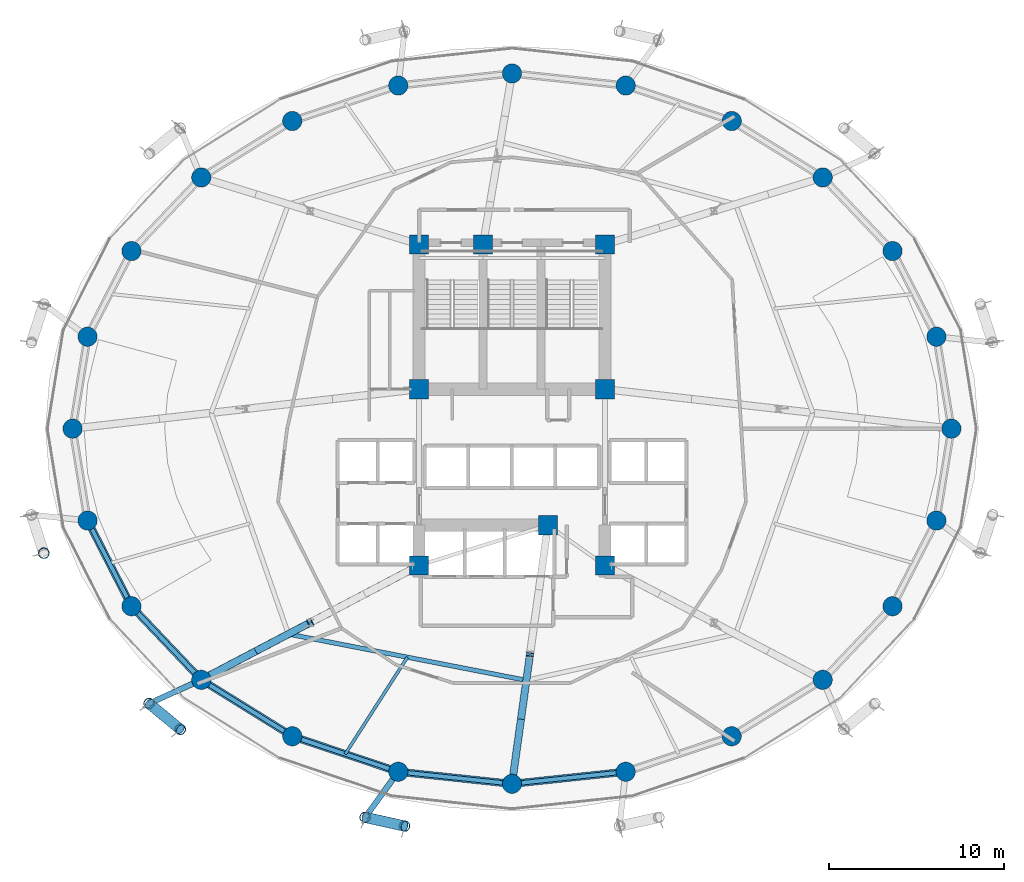
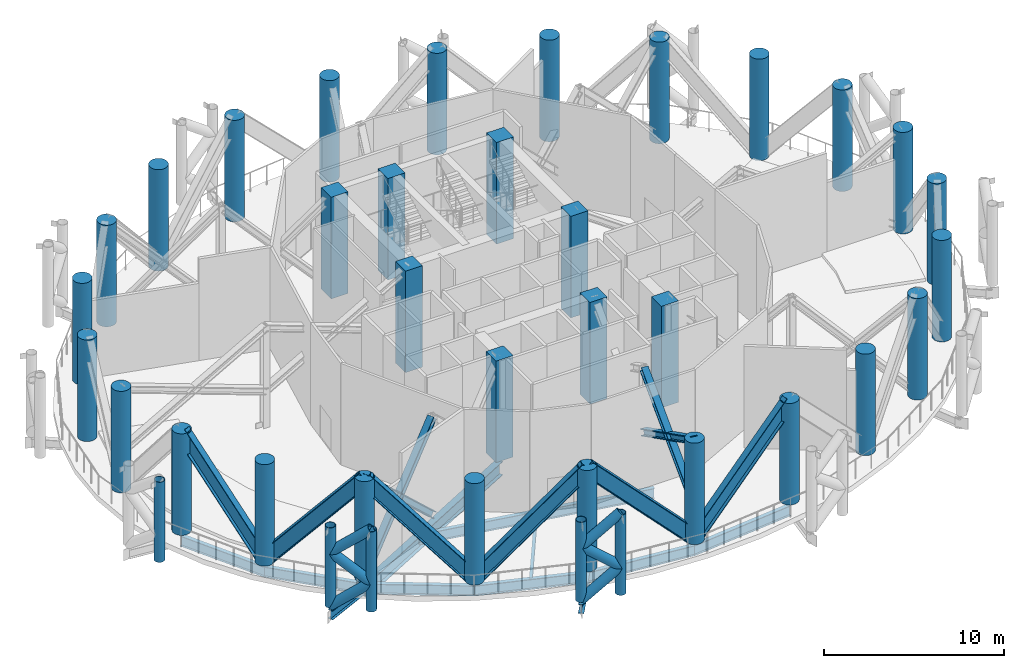
# One storey, part 1 of 19: 32 columns, 21 members, 11 beams.
"""IFC4 building model written with IfcOpenShell, lengths in metres."""

from ifc_helpers import new_model, si_unit, direction, frame, origin, origin_2d, place, context, subcontext, project, spatial, rectangle, circle, hollow_circle, i_section, extrude, material, material_profile, profile_set, type_object, element, save


model = new_model("IFC4")

# Units and contexts
model_context = context("Model", 3, precision=1e-05, world=origin(), true_north=direction((0.0, 1.0)))
body_context = subcontext(model_context, "Body", "Model", "MODEL_VIEW")
ifc_project = project(units=[si_unit("LENGTHUNIT", "METRE"), si_unit("AREAUNIT", "SQUARE_METRE"), si_unit("VOLUMEUNIT", "CUBIC_METRE"), si_unit("PLANEANGLEUNIT", "RADIAN"), si_unit("MASSUNIT", "GRAM", prefix="KILO")], contexts=[model_context])

# Site, building, storey
site_placement = place(None, origin())
site = spatial("IfcSite", under=ifc_project, at=site_placement, CompositionType="ELEMENT")
building_placement = place(site_placement, origin())
building = spatial("IfcBuilding", under=site, at=building_placement, Name="Nuhasar Tower", CompositionType="ELEMENT")
storey_placement = place(building_placement, frame((0.0, 0.0, 106.050048828125)))
storey = spatial("IfcBuildingStorey", under=building, at=storey_placement, Name="L25", CompositionType="ELEMENT", Elevation=106.050048828125)

# Columns
ifc_material_1 = material(Name="Concrete C80/95", Category="concrete")
ifc_material_profile_1 = material_profile(ifc_material_1, circle(Radius=0.550048828125, at=origin_2d()), Name="CFT1100")
ifc_profile_set_1 = profile_set([ifc_material_profile_1], Name="Concrete C80/95")
column_type_1 = type_object("IfcColumnType", Name="COL-CFT-1100", PredefinedType="COLUMN", material=ifc_profile_set_1)
for number, where, z_axis, x_axis, name in (
    (1, (64.050048828125, 26.800048828125, 0.0), (0.0, 0.0, 1.0), (1.0, 0.0, 0.0), "L25 Perimeter Composite Column TC-01"),
    (2, (63.196044921875, 32.041015625, 0.0), (0.0, 0.0, 1.0), (1.0, 0.0, 0.0), "L25 Perimeter Composite Column TC-02"),
    (3, (60.694091796875, 36.925048828125, 0.0), (0.0, 0.0, 1.0), (1.0, 0.0, 0.0), "L25 Perimeter Composite Column TC-03"),
    (4, (56.712890625, 41.118896484375, 0.0), (0.0, 0.0, 1.0), (1.0, 0.0, 0.0), "L25 Perimeter Composite Column TC-04"),
    (5, (51.52490234375, 44.3369140625, 0.0), (0.0, 0.0, 1.0), (1.0, 0.0, 0.0), "L25 Perimeter Composite Column TC-05"),
    (6, (45.48291015625, 46.360107421875, 0.0), (0.0, 0.0, 1.0), (1.0, 0.0, 0.0), "L25 Perimeter Composite Column TC-06"),
    (7, (39.0, 47.050048828125, 0.0), (0.0, 0.0, 1.0), (1.0, 0.0, 0.0), "L25 Perimeter Composite Column TC-07"),
    (8, (32.51708984375, 46.360107421875, 0.0), (0.0, 0.0, 1.0), (1.0, 0.0, 0.0), "L25 Perimeter Composite Column TC-08"),
    (9, (26.47509765625, 44.3369140625, 0.0), (0.0, 0.0, 1.0), (1.0, 0.0, 0.0), "L25 Perimeter Composite Column TC-09"),
    (10, (21.287109375, 41.118896484375, 0.0), (0.0, 0.0, 1.0), (1.0, 0.0, 0.0), "L25 Perimeter Composite Column TC-10"),
    (11, (17.305908203125, 36.925048828125, 0.0), (0.0, 0.0, 1.0), (1.0, 0.0, 0.0), "L25 Perimeter Composite Column TC-11"),
    (12, (14.803955078125, 32.041015625, 0.0), (0.0, 0.0, 1.0), (1.0, 0.0, 0.0), "L25 Perimeter Composite Column TC-12"),
    (13, (13.949951171875, 26.800048828125, 0.0), (0.0, 0.0, 1.0), (1.0, 0.0, 0.0), "L25 Perimeter Composite Column TC-13"),
    (14, (14.803955078125, 21.55908203125, 0.0), (0.0, 0.0, 1.0), (1.0, 0.0, 0.0), "L25 Perimeter Composite Column TC-14"),
    (15, (17.305908203125, 16.675048828125, 0.0), (0.0, 0.0, 1.0), (1.0, 0.0, 0.0), "L25 Perimeter Composite Column TC-15"),
    (16, (21.287109375, 12.48095703125, 0.0), (0.0, 0.0, 1.0), (1.0, 0.0, 0.0), "L25 Perimeter Composite Column TC-16"),
    (17, (26.47509765625, 9.262939453125, 0.0), (0.0, 0.0, 1.0), (1.0, 0.0, 0.0), "L25 Perimeter Composite Column TC-17"),
    (18, (32.51708984375, 7.239990234375, 0.0), (0.0, 0.0, 1.0), (1.0, 0.0, 0.0), "L25 Perimeter Composite Column TC-18"),
    (19, (39.0, 6.550048828125, 0.0), (0.0, 0.0, 1.0), (1.0, 0.0, 0.0), "L25 Perimeter Composite Column TC-19"),
    (20, (45.48291015625, 7.239990234375, 0.0), (0.0, 0.0, 1.0), (1.0, 0.0, 0.0), "L25 Perimeter Composite Column TC-20"),
    (21, (51.52490234375, 9.262939453125, 0.0), (0.0, 0.0, 1.0), (1.0, 0.0, 0.0), "L25 Perimeter Composite Column TC-21"),
    (22, (56.712890625, 12.48095703125, 0.0), (0.0, 0.0, 1.0), (1.0, 0.0, 0.0), "L25 Perimeter Composite Column TC-22"),
    (23, (60.694091796875, 16.675048828125, 0.0), (0.0, 0.0, 1.0), (1.0, 0.0, 0.0), "L25 Perimeter Composite Column TC-23"),
    (24, (63.196044921875, 21.55908203125, 0.0), (0.0, 0.0, 1.0), (1.0, 0.0, 0.0), "L25 Perimeter Composite Column TC-24"),
):
    element("IfcColumn", number, at=place(storey_placement, frame(where, z_axis=z_axis, x_axis=x_axis)), inside=storey, type_object=column_type_1, Name=name, PredefinedType="COLUMN", context=body_context, shape_type="SweptSolid", body=[
        extrude(circle(Radius=0.550048828125, at=origin_2d()), origin(), (0.0, 0.0, 1.0), 6.8798828125),
    ])
ifc_material_profile_2 = material_profile(ifc_material_1, rectangle(XDim=1.10009765625, YDim=1.10009765625, at=origin_2d()), Name="RC1100X1100")
ifc_profile_set_2 = profile_set([ifc_material_profile_2], Name="Concrete C80/95")
column_type_2 = type_object("IfcColumnType", Name="PIL-RC-1100", PredefinedType="PILASTER", material=ifc_profile_set_2)
for number, where, z_axis, x_axis, name in (
    (25, (33.699951171875, 19.0, 0.0), (0.0, 0.0, 1.0), (1.0, 0.0, 0.0), "L25 Core Boundary Pilaster CC-01"),
    (26, (41.050048828125, 21.300048828125, 0.0), (0.0, 0.0, 1.0), (1.0, 0.0, 0.0), "L25 Core Boundary Pilaster CC-02"),
    (27, (44.300048828125, 19.0, 0.0), (0.0, 0.0, 1.0), (1.0, 0.0, 0.0), "L25 Core Boundary Pilaster CC-03"),
    (28, (44.300048828125, 29.050048828125, 0.0), (0.0, 0.0, 1.0), (1.0, 0.0, 0.0), "L25 Core Boundary Pilaster CC-04"),
    (29, (44.300048828125, 37.300048828125, 0.0), (0.0, 0.0, 1.0), (1.0, 0.0, 0.0), "L25 Core Boundary Pilaster CC-05"),
    (30, (37.35009765625, 37.300048828125, 0.0), (0.0, 0.0, 1.0), (1.0, 0.0, 0.0), "L25 Core Boundary Pilaster CC-06"),
    (31, (33.699951171875, 37.300048828125, 0.0), (0.0, 0.0, 1.0), (1.0, 0.0, 0.0), "L25 Core Boundary Pilaster CC-07"),
    (32, (33.699951171875, 29.050048828125, 0.0), (0.0, 0.0, 1.0), (1.0, 0.0, 0.0), "L25 Core Boundary Pilaster CC-08"),
):
    element("IfcColumn", number, at=place(storey_placement, frame(where, z_axis=z_axis, x_axis=x_axis)), inside=storey, type_object=column_type_2, Name=name, PredefinedType="PILASTER", context=body_context, shape_type="SweptSolid", body=[
        extrude(rectangle(XDim=1.10009765625, YDim=1.10009765625, at=origin_2d()), origin(), (0.0, 0.0, 1.0), 6.8798828125),
    ])

# Members
ifc_material_2 = material(Name="Steel S460", Category="steel")
ifc_material_profile_3 = material_profile(ifc_material_2, i_section(OverallWidth=0.419921875, OverallDepth=0.931884765625, WebThickness=0.021240234375, FlangeThickness=0.03662109375, at=origin_2d()), Name="W36X262")
ifc_profile_set_3 = profile_set([ifc_material_profile_3], Name="Steel S460")
member_type_1 = type_object("IfcMemberType", Name="BLT-DIAG-W36A", PredefinedType="CHORD", material=ifc_profile_set_3)
member_1_placement = place(storey_placement, frame((17.305908203125, 16.675048828125, 0.14990234375), z_axis=(-0.292010631919, 0.570030512444, 0.767981123289), x_axis=(-0.890015625314, -0.455930023905, 0.0)))
element("IfcMember", 33, at=member_1_placement, inside=storey, type_object=member_type_1, Name="L25 Belt Truss Diagonal 14", PredefinedType="CHORD", context=body_context, shape_type="SweptSolid", body=[
    extrude(i_section(OverallWidth=0.419921875, OverallDepth=0.931884765625, WebThickness=0.021240234375, FlangeThickness=0.03662109375, at=origin_2d()), origin(), (0.0, 0.0, 1.0), 8.568115234375),
])
member_2_placement = place(storey_placement, frame((17.305908203125, 16.675048828125, 0.14990234375), z_axis=(0.454474436548, -0.478776988131, 0.751149507196), x_axis=(0.725274490569, 0.688459812429, 0.0)))
element("IfcMember", 34, at=member_2_placement, inside=storey, type_object=member_type_1, Name="L25 Belt Truss Diagonal 15", PredefinedType="CHORD", context=body_context, shape_type="SweptSolid", body=[
    extrude(i_section(OverallWidth=0.419921875, OverallDepth=0.931884765625, WebThickness=0.021240234375, FlangeThickness=0.03662109375, at=origin_2d()), origin(), (0.0, 0.0, 1.0), 8.760009765625),
])
member_3_placement = place(storey_placement, frame((26.47509765625, 9.262939453125, 0.14990234375), z_axis=(-0.5779854684, 0.358514186305, 0.733075969144), x_axis=(-0.527112976439, -0.849795216549, 0.0)))
element("IfcMember", 35, at=member_3_placement, inside=storey, type_object=member_type_1, Name="L25 Belt Truss Diagonal 16", PredefinedType="CHORD", context=body_context, shape_type="SweptSolid", body=[
    extrude(i_section(OverallWidth=0.419921875, OverallDepth=0.931884765625, WebThickness=0.021240234375, FlangeThickness=0.03662109375, at=origin_2d()), origin(), (0.0, 0.0, 1.0), 8.97607421875),
])
member_4_placement = place(storey_placement, frame((26.47509765625, 9.262939453125, 0.14990234375), z_axis=(0.659646146628, -0.220859381403, 0.718392716337), x_axis=(0.317491935271, 0.94826097201, 0.0)))
element("IfcMember", 36, at=member_4_placement, inside=storey, type_object=member_type_1, Name="L25 Belt Truss Diagonal 17", PredefinedType="CHORD", context=body_context, shape_type="SweptSolid", body=[
    extrude(i_section(OverallWidth=0.419921875, OverallDepth=0.931884765625, WebThickness=0.021240234375, FlangeThickness=0.03662109375, at=origin_2d()), origin(), (0.0, 0.0, 1.0), 9.159423828125),
])
for number, where, z_axis, x_axis, name in (
    (37, (39.0, 6.550048828125, 0.14990234375), (-0.699878064566, 0.07448427395, 0.710368064931), (-0.105827022286, -0.994384554061, 0.0), "L25 Belt Truss Diagonal 18"),
    (38, (39.0, 6.550048828125, 0.14990234375), (0.699878064566, 0.07448427395, 0.710368064931), (-0.105827022286, 0.994384554061, 0.0), "L25 Belt Truss Diagonal 19"),
):
    element("IfcMember", number, at=place(storey_placement, frame(where, z_axis=z_axis, x_axis=x_axis)), inside=storey, type_object=member_type_1, Name=name, PredefinedType="CHORD", context=body_context, shape_type="SweptSolid", body=[
        extrude(i_section(OverallWidth=0.419921875, OverallDepth=0.931884765625, WebThickness=0.021240234375, FlangeThickness=0.03662109375, at=origin_2d()), origin(), (0.0, 0.0, 1.0), 9.262939453125),
    ])

# Beams
ifc_material_3 = material(Name="Steel S355", Category="steel")
ifc_material_profile_4 = material_profile(ifc_material_3, i_section(OverallWidth=0.25390625, OverallDepth=0.68408203125, WebThickness=0.012451171875, FlangeThickness=0.018798828125, at=origin_2d()), Name="W27X94")
ifc_profile_set_4 = profile_set([ifc_material_profile_4], Name="Steel S355")
beam_type_1 = type_object("IfcBeamType", Name="BM-INRING-W27X94", PredefinedType="BEAM", material=ifc_profile_set_4)
beam_1_placement = place(storey_placement, frame((26.251953125, 15.089111328125, -0.692138671875), z_axis=(0.981602977761, -0.190933480695, 0.0), x_axis=(0.190933480695, 0.981602977761, 0.0)))
element("IfcBeam", 39, at=beam_1_placement, inside=storey, type_object=beam_type_1, Name="L25 Inner Header Beam 01", PredefinedType="BEAM", context=body_context, shape_type="SweptSolid", body=[
    extrude(i_section(OverallWidth=0.25390625, OverallDepth=0.68408203125, WebThickness=0.012451171875, FlangeThickness=0.018798828125, at=origin_2d()), origin(), (0.0, 0.0, 1.0), 13.822509765625),
])
ifc_material_profile_5 = material_profile(ifc_material_3, i_section(OverallWidth=0.177978515625, OverallDepth=0.406005859375, WebThickness=0.0078125, FlangeThickness=0.0126953125, at=origin_2d()), Name="W16X40")
ifc_profile_set_5 = profile_set([ifc_material_profile_5], Name="Steel S355")
beam_type_2 = type_object("IfcBeamType", Name="BM-JST-W16X40", PredefinedType="JOIST", material=ifc_profile_set_5)
beam_2_placement = place(storey_placement, frame((33.035888671875, 13.77001953125, -0.552978515625), z_axis=(-0.539944240715, -0.841700788237, 0.0), x_axis=(0.841700788237, -0.539944240715, 0.0)))
element("IfcBeam", 40, at=beam_2_placement, inside=storey, type_object=beam_type_2, Name="L25 Secondary Floor Joist 01", PredefinedType="JOIST", context=body_context, shape_type="SweptSolid", body=[
    extrude(i_section(OverallWidth=0.177978515625, OverallDepth=0.406005859375, WebThickness=0.0078125, FlangeThickness=0.0126953125, at=origin_2d()), origin(), (0.0, 0.0, 1.0), 6.555908203125),
])
ifc_material_profile_6 = material_profile(ifc_material_3, i_section(OverallWidth=0.419921875, OverallDepth=0.931884765625, WebThickness=0.021240234375, FlangeThickness=0.03662109375, at=origin_2d()), Name="W36X262")
ifc_profile_set_6 = profile_set([ifc_material_profile_6], Name="Steel S355")
beam_type_3 = type_object("IfcBeamType", Name="BM-POD-W36X262", PredefinedType="BEAM", material=ifc_profile_set_6)
beam_3_placement = place(storey_placement, frame((33.699951171875, 19.0, -0.816162109375), z_axis=(-0.885330348705, -0.464962550816, 0.0), x_axis=(0.464962550816, -0.885330348705, 0.0)))
element("IfcBeam", 41, at=beam_3_placement, inside=storey, type_object=beam_type_3, Name="L25 Radial Floor Girder 01", PredefinedType="BEAM", context=body_context, shape_type="SweptSolid", body=[
    extrude(i_section(OverallWidth=0.419921875, OverallDepth=0.931884765625, WebThickness=0.021240234375, FlangeThickness=0.03662109375, at=origin_2d()), origin(), (0.0, 0.0, 1.0), 14.0205078125),
])
ifc_material_profile_7 = material_profile(ifc_material_3, i_section(OverallWidth=0.256103515625, OverallDepth=0.693115234375, WebThickness=0.014404296875, FlangeThickness=0.023681640625, at=origin_2d()), Name="W27X114")
ifc_profile_set_7 = profile_set([ifc_material_profile_7], Name="Steel S355")
beam_type_4 = type_object("IfcBeamType", Name="BM-RING-W27X114", PredefinedType="SPANDREL", material=ifc_profile_set_7)
beam_4_placement = place(storey_placement, frame((14.803955078125, 21.55908203125, -0.697021484375), z_axis=(0.455930023905, -0.890015625314, 0.0), x_axis=(0.890015625314, 0.455930023905, 0.0)))
element("IfcBeam", 42, at=beam_4_placement, inside=storey, type_object=beam_type_4, Name="L25 Perimeter Ring Spandrel 14", PredefinedType="SPANDREL", context=body_context, shape_type="SweptSolid", body=[
    extrude(i_section(OverallWidth=0.256103515625, OverallDepth=0.693115234375, WebThickness=0.014404296875, FlangeThickness=0.023681640625, at=origin_2d()), origin(), (0.0, 0.0, 1.0), 5.487548828125),
])
beam_5_placement = place(storey_placement, frame((17.305908203125, 16.675048828125, -0.697021484375), z_axis=(0.688459812429, -0.725274490569, 0.0), x_axis=(0.725274490569, 0.688459812429, 0.0)))
element("IfcBeam", 43, at=beam_5_placement, inside=storey, type_object=beam_type_4, Name="L25 Perimeter Ring Spandrel 15", PredefinedType="SPANDREL", context=body_context, shape_type="SweptSolid", body=[
    extrude(i_section(OverallWidth=0.256103515625, OverallDepth=0.693115234375, WebThickness=0.014404296875, FlangeThickness=0.023681640625, at=origin_2d()), origin(), (0.0, 0.0, 1.0), 5.78271484375),
])
beam_6_placement = place(storey_placement, frame((21.287109375, 12.48095703125, -0.697021484375), z_axis=(0.849795216549, -0.527112976439, 0.0), x_axis=(0.527112976439, 0.849795216549, 0.0)))
element("IfcBeam", 44, at=beam_6_placement, inside=storey, type_object=beam_type_4, Name="L25 Perimeter Ring Spandrel 16", PredefinedType="SPANDREL", context=body_context, shape_type="SweptSolid", body=[
    extrude(i_section(OverallWidth=0.256103515625, OverallDepth=0.693115234375, WebThickness=0.014404296875, FlangeThickness=0.023681640625, at=origin_2d()), origin(), (0.0, 0.0, 1.0), 6.10498046875),
])
beam_7_placement = place(storey_placement, frame((26.47509765625, 9.262939453125, -0.697021484375), z_axis=(0.94826097201, -0.317491935271, 0.0), x_axis=(0.317491935271, 0.94826097201, 0.0)))
element("IfcBeam", 45, at=beam_7_placement, inside=storey, type_object=beam_type_4, Name="L25 Perimeter Ring Spandrel 17", PredefinedType="SPANDREL", context=body_context, shape_type="SweptSolid", body=[
    extrude(i_section(OverallWidth=0.256103515625, OverallDepth=0.693115234375, WebThickness=0.014404296875, FlangeThickness=0.023681640625, at=origin_2d()), origin(), (0.0, 0.0, 1.0), 6.37158203125),
])
for number, where, z_axis, x_axis, name in (
    (46, (32.51708984375, 7.239990234375, -0.697021484375), (0.994384554061, -0.105827022286, 0.0), (0.105827022286, 0.994384554061, 0.0), "L25 Perimeter Ring Spandrel 18"),
    (47, (39.0, 6.550048828125, -0.697021484375), (0.994384554061, 0.105827022286, 0.0), (-0.105827022286, 0.994384554061, 0.0), "L25 Perimeter Ring Spandrel 19"),
):
    element("IfcBeam", number, at=place(storey_placement, frame(where, z_axis=z_axis, x_axis=x_axis)), inside=storey, type_object=beam_type_4, Name=name, PredefinedType="SPANDREL", context=body_context, shape_type="SweptSolid", body=[
        extrude(i_section(OverallWidth=0.256103515625, OverallDepth=0.693115234375, WebThickness=0.014404296875, FlangeThickness=0.023681640625, at=origin_2d()), origin(), (0.0, 0.0, 1.0), 6.51953125),
    ])
ifc_material_profile_8 = material_profile(ifc_material_3, i_section(OverallWidth=0.323974609375, OverallDepth=0.611083984375, WebThickness=0.0126953125, FlangeThickness=0.01904296875, at=origin_2d()), Name="W24X104")
ifc_profile_set_8 = profile_set([ifc_material_profile_8], Name="Steel S355")
beam_type_5 = type_object("IfcBeamType", Name="BM-TIE-W24X104", PredefinedType="BEAM", material=ifc_profile_set_8)
beam_8_placement = place(storey_placement, frame((21.287109375, 12.48095703125, -0.655029296875), z_axis=(-0.910243528587, -0.414073325227, 0.0), x_axis=(0.414073325227, -0.910243528587, 0.0)))
element("IfcBeam", 48, at=beam_8_placement, inside=storey, type_object=beam_type_5, Name="L25 Exoskeleton Node Tie Beam 08", PredefinedType="BEAM", context=body_context, shape_type="SweptSolid", body=[
    extrude(i_section(OverallWidth=0.323974609375, OverallDepth=0.611083984375, WebThickness=0.0126953125, FlangeThickness=0.01904296875, at=origin_2d()), origin(), (0.0, 0.0, 1.0), 3.26513671875),
])
beam_9_placement = place(storey_placement, frame((32.51708984375, 7.239990234375, -0.655029296875), z_axis=(-0.587403316448, -0.809294349311, 0.0), x_axis=(0.809294349311, -0.587403316448, 0.0)))
element("IfcBeam", 49, at=beam_9_placement, inside=storey, type_object=beam_type_5, Name="L25 Exoskeleton Node Tie Beam 09", PredefinedType="BEAM", context=body_context, shape_type="SweptSolid", body=[
    extrude(i_section(OverallWidth=0.323974609375, OverallDepth=0.611083984375, WebThickness=0.0126953125, FlangeThickness=0.01904296875, at=origin_2d()), origin(), (0.0, 0.0, 1.0), 3.212890625),
])

# Members
ifc_material_profile_9 = material_profile(ifc_material_2, hollow_circle(Radius=0.304931640625, WallThickness=0.025390625, at=origin_2d()), Name="HSS610X25.4")
ifc_profile_set_9 = profile_set([ifc_material_profile_9], Name="Steel S460")
member_type_2 = type_object("IfcMemberType", Name="EXO-BRONZE-610", PredefinedType="BRACE", material=ifc_profile_set_9)
for number, where, z_axis, x_axis, name in (
    (50, (12.30810546875, 19.700927734375, 0.0), (0.0, 0.0, 1.0), (1.0, 0.0, 0.0), "L25 Exoskeleton Chord Column EC-07B"),
    (51, (18.31494140625, 11.12890625, 0.0), (0.0, 0.0, 1.0), (1.0, 0.0, 0.0), "L25 Exoskeleton Chord Column EC-08A"),
    (52, (20.0869140625, 9.660888671875, 0.0), (0.0, 0.0, 1.0), (1.0, 0.0, 0.0), "L25 Exoskeleton Chord Column EC-08B"),
    (53, (30.6298828125, 4.639892578125, 0.0), (0.0, 0.0, 1.0), (1.0, 0.0, 0.0), "L25 Exoskeleton Chord Column EC-09A"),
    (54, (32.8759765625, 4.14111328125, 0.0), (0.0, 0.0, 1.0), (1.0, 0.0, 0.0), "L25 Exoskeleton Chord Column EC-09B"),
):
    element("IfcMember", number, at=place(storey_placement, frame(where, z_axis=z_axis, x_axis=x_axis)), inside=storey, type_object=member_type_2, Name=name, PredefinedType="BRACE", context=body_context, shape_type="SweptSolid", body=[
        extrude(hollow_circle(Radius=0.304931640625, WallThickness=0.025390625, at=origin_2d()), origin(), (0.0, 0.0, 1.0), 5.429931640625),
    ])
member_5_placement = place(storey_placement, frame((18.31494140625, 11.12890625, 0.0), z_axis=(0.605249314085, -0.501427958886, 0.618258254977), x_axis=(0.637969333506, 0.770061769929, 0.0)))
element("IfcMember", 55, at=member_5_placement, inside=storey, type_object=member_type_2, Name="L25 Bronze Diagrid Brace W1-08", PredefinedType="BRACE", context=body_context, shape_type="SweptSolid", body=[
    extrude(hollow_circle(Radius=0.304931640625, WallThickness=0.025390625, at=origin_2d()), origin(), (0.0, 0.0, 1.0), 2.927734375),
])
member_6_placement = place(storey_placement, frame((20.0869140625, 9.660888671875, 1.81005859375), z_axis=(-0.605280519206, 0.50145381124, 0.61820673586), x_axis=(-0.637969333506, -0.770061769929, 0.0)))
element("IfcMember", 56, at=member_6_placement, inside=storey, type_object=member_type_2, Name="L25 Bronze Diagrid Brace W2-08", PredefinedType="BRACE", context=body_context, shape_type="SweptSolid", body=[
    extrude(hollow_circle(Radius=0.304931640625, WallThickness=0.025390625, at=origin_2d()), origin(), (0.0, 0.0, 1.0), 2.927490234375),
])
member_7_placement = place(storey_placement, frame((18.31494140625, 11.12890625, 3.619873046875), z_axis=(0.605249314085, -0.501427958886, 0.618258254977), x_axis=(0.637969333506, 0.770061769929, 0.0)))
element("IfcMember", 57, at=member_7_placement, inside=storey, type_object=member_type_2, Name="L25 Bronze Diagrid Brace W3-08", PredefinedType="BRACE", context=body_context, shape_type="SweptSolid", body=[
    extrude(hollow_circle(Radius=0.304931640625, WallThickness=0.025390625, at=origin_2d()), origin(), (0.0, 0.0, 1.0), 2.927734375),
])
member_8_placement = place(storey_placement, frame((30.6298828125, 4.639892578125, 0.0), z_axis=(0.767249664901, -0.17037946363, 0.618303153867), x_axis=(0.216784396973, 0.976219506683, 0.0)))
element("IfcMember", 58, at=member_8_placement, inside=storey, type_object=member_type_2, Name="L25 Bronze Diagrid Brace W1-09", PredefinedType="BRACE", context=body_context, shape_type="SweptSolid", body=[
    extrude(hollow_circle(Radius=0.304931640625, WallThickness=0.025390625, at=origin_2d()), origin(), (0.0, 0.0, 1.0), 2.927490234375),
])
member_9_placement = place(storey_placement, frame((32.8759765625, 4.14111328125, 1.81005859375), z_axis=(-0.767289228096, 0.170388249239, 0.618251635638), x_axis=(-0.216784396973, -0.976219506683, 0.0)))
element("IfcMember", 59, at=member_9_placement, inside=storey, type_object=member_type_2, Name="L25 Bronze Diagrid Brace W2-09", PredefinedType="BRACE", context=body_context, shape_type="SweptSolid", body=[
    extrude(hollow_circle(Radius=0.304931640625, WallThickness=0.025390625, at=origin_2d()), origin(), (0.0, 0.0, 1.0), 2.92724609375),
])
member_10_placement = place(storey_placement, frame((30.6298828125, 4.639892578125, 3.619873046875), z_axis=(0.767249664901, -0.17037946363, 0.618303153867), x_axis=(0.216784396973, 0.976219506683, 0.0)))
element("IfcMember", 60, at=member_10_placement, inside=storey, type_object=member_type_2, Name="L25 Bronze Diagrid Brace W3-09", PredefinedType="BRACE", context=body_context, shape_type="SweptSolid", body=[
    extrude(hollow_circle(Radius=0.304931640625, WallThickness=0.025390625, at=origin_2d()), origin(), (0.0, 0.0, 1.0), 2.927490234375),
])
ifc_material_profile_10 = material_profile(ifc_material_2, i_section(OverallWidth=0.412109375, OverallDepth=0.43408203125, WebThickness=0.035888671875, FlangeThickness=0.057373046875, at=origin_2d()), Name="W14X311")
ifc_profile_set_10 = profile_set([ifc_material_profile_10], Name="Steel S460")
member_type_3 = type_object("IfcMemberType", Name="OUT-DIAG-W14A", PredefinedType="STRUT", material=ifc_profile_set_10)
for number, where, z_axis, x_axis, name in (
    (61, (27.493896484375, 15.740966796875, 0.14990234375), (-0.64552793441, -0.339052610163, 0.68435152768), (0.464995637909, -0.885312971059, 0.0), "L25 Outrigger Truss Diagonal OUT1-01"),
    (62, (21.287109375, 12.48095703125, 0.14990234375), (0.64552793441, 0.339052610163, 0.68435152768), (-0.464995637909, 0.885312971059, 0.0), "L25 Outrigger Truss Diagonal OUT2-01"),
):
    element("IfcMember", number, at=place(storey_placement, frame(where, z_axis=z_axis, x_axis=x_axis)), inside=storey, type_object=member_type_3, Name=name, PredefinedType="STRUT", context=body_context, shape_type="SweptSolid", body=[
        extrude(i_section(OverallWidth=0.412109375, OverallDepth=0.43408203125, WebThickness=0.035888671875, FlangeThickness=0.057373046875, at=origin_2d()), origin(), (0.0, 0.0, 1.0), 9.614990234375),
    ])
for number, where, z_axis, x_axis, name in (
    (63, (40.02490234375, 13.925048828125, 2.449951171875), (-0.119336394854, -0.858721728382, 0.498353105808), (0.99048134876, -0.137647004174, 0.0), "L25 Outrigger Truss Diagonal OUT1-02"),
    (64, (39.0, 6.550048828125, 2.449951171875), (0.119336394854, 0.858721728382, 0.498353105808), (-0.99048134876, 0.137647004174, 0.0), "L25 Outrigger Truss Diagonal OUT2-02"),
):
    element("IfcMember", number, at=place(storey_placement, frame(where, z_axis=z_axis, x_axis=x_axis)), inside=storey, type_object=member_type_3, Name=name, PredefinedType="STRUT", context=body_context, shape_type="SweptSolid", body=[
        extrude(i_section(OverallWidth=0.412109375, OverallDepth=0.43408203125, WebThickness=0.035888671875, FlangeThickness=0.057373046875, at=origin_2d()), origin(), (0.0, 0.0, 1.0), 8.58837890625),
    ])

save(model, "model.ifc")
